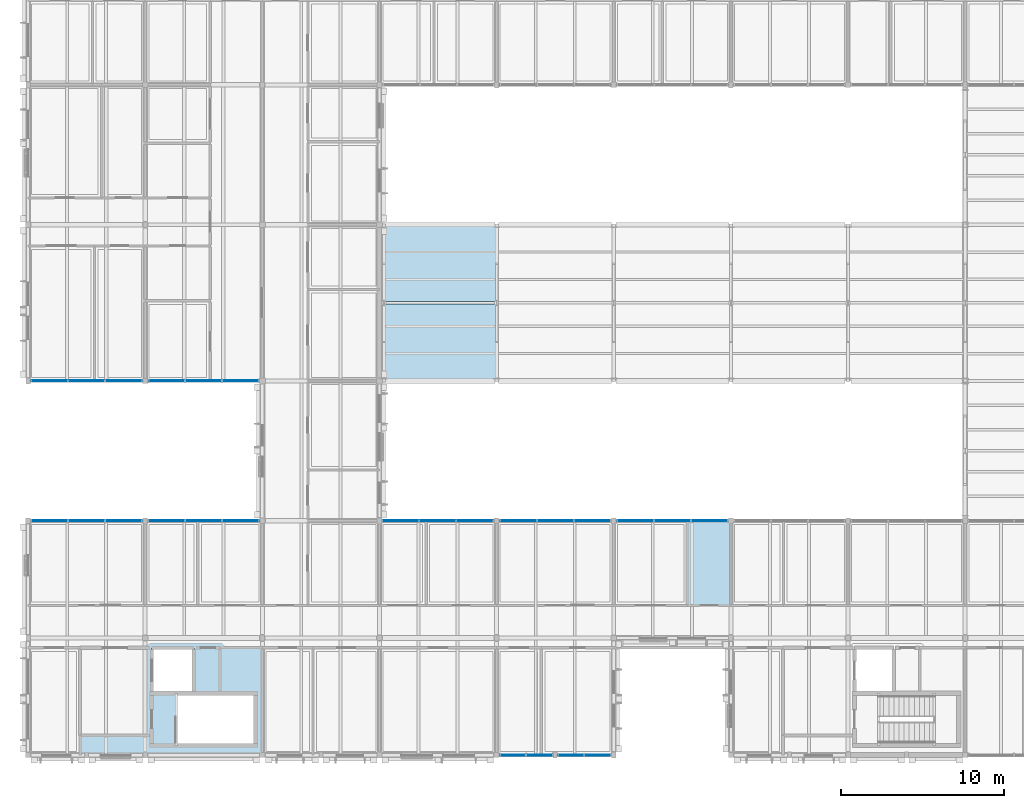
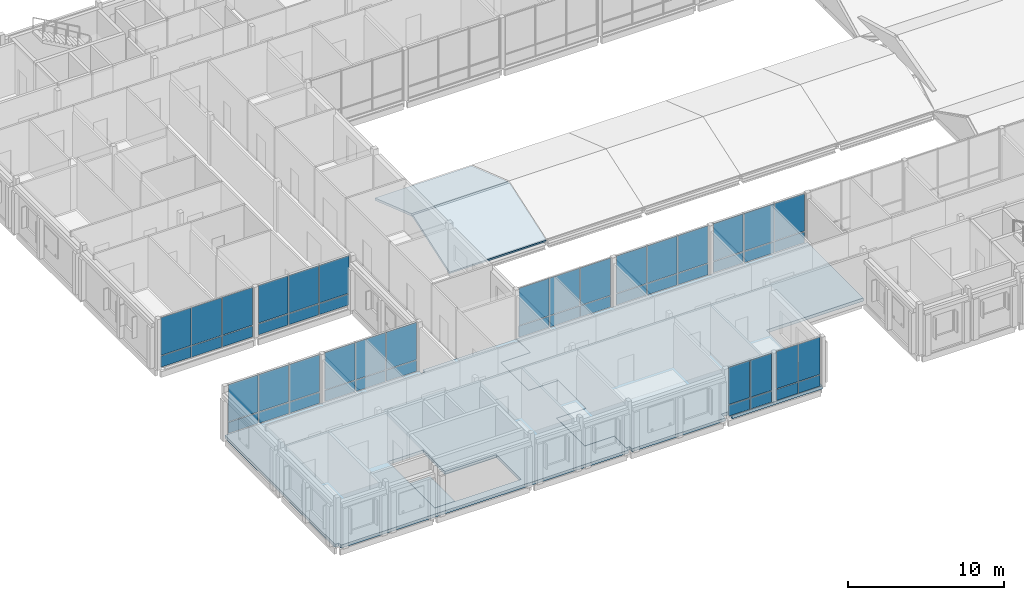
# One storey, part 67 of 115: 50 plates, 5 slabs, 9 elements without a shape of their own.
"""IFC4 building model written with IfcOpenShell, lengths in metres."""

from ifc_helpers import new_model, si_unit, direction, frame, origin, origin_2d, place, context, subcontext, project, spatial, polyline, rectangle, outline, extrude, material, layer, layer_set, type_object, element, aggregate, save


model = new_model("IFC4")

# Units and contexts
model_context = context("Model", 3, precision=1e-05, world=origin(), true_north=direction((0.0, 1.0)))
body_context = subcontext(model_context, "Body", "Model", "MODEL_VIEW")
ifc_project = project(units=[si_unit("LENGTHUNIT", "METRE"), si_unit("AREAUNIT", "SQUARE_METRE"), si_unit("VOLUMEUNIT", "CUBIC_METRE"), si_unit("PLANEANGLEUNIT", "RADIAN"), si_unit("MASSUNIT", "GRAM", prefix="KILO")], contexts=[model_context])

# Site, building, storey
site_placement = place(None, origin())
site = spatial("IfcSite", under=ifc_project, at=site_placement, CompositionType="ELEMENT")
building_placement = place(site_placement, origin())
building = spatial("IfcBuilding", under=site, at=building_placement, Name="Hawrajan Terrace Health Centre", CompositionType="ELEMENT")
storey_placement = place(building_placement, frame((0.0, 0.0, 9.0)))
storey = spatial("IfcBuildingStorey", under=building, at=storey_placement, Name="L02", CompositionType="ELEMENT", Elevation=9.0)

# Curtain wall, plates
ifc_material_1 = material(Name="Anodized bronze aluminium and low-E solar glazing", Category="aluminium")
curtain_wall_type_1 = type_object("IfcCurtainWallType", Name="CW_Bridge_SeriesJ1", PredefinedType="USERDEFINED", material=ifc_material_1)
curtain_wall_1_placement = place(storey_placement, origin())
curtain_wall_1 = element("IfcCurtainWall", 1, at=curtain_wall_1_placement, inside=storey, type_object=curtain_wall_type_1, Name="Curtain wall CW-L02-116", ObjectType="UNITISED CURTAIN WALL", PredefinedType="USERDEFINED")
ifc_material_2 = material(Name="Diffused north-light insulated glazing", Category="glass")
ifc_layer_1 = layer(ifc_material_2, 0.031982421875)
ifc_layer_set_1 = layer_set([ifc_layer_1], Name="Diffused north-light insulated glazing")
plate_type_1 = type_object("IfcPlateType", Name="ClerestoryGlassPanel_32", PredefinedType="CURTAIN_PANEL", material=ifc_layer_set_1)
plate_1_placement = place(storey_placement, frame((5.93505859375, 18.60009765625, 0.9814453125), z_axis=(0.0, 0.0, 1.0), x_axis=(1.0, 0.0, 0.0)))
plate_1 = element("IfcPlate", 2, at=plate_1_placement, type_object=plate_type_1, Name="Curtain panel CW-L02-116-P1-2", PredefinedType="CURTAIN_PANEL", context=body_context, shape_type="SweptSolid", body=[
    extrude(rectangle(XDim=2.2119140625, YDim=0.031982421875, at=origin_2d()), origin(), (0.0, 0.0, 1.0), 2.8994140625),
])
plate_2_placement = place(storey_placement, frame((8.2099609375, 18.60009765625, 0.9814453125), z_axis=(0.0, 0.0, 1.0), x_axis=(1.0, 0.0, 0.0)))
plate_2 = element("IfcPlate", 3, at=plate_2_placement, type_object=plate_type_1, Name="Curtain panel CW-L02-116-P2-2", PredefinedType="CURTAIN_PANEL", context=body_context, shape_type="SweptSolid", body=[
    extrude(rectangle(XDim=2.2119140625, YDim=0.031982421875, at=origin_2d()), origin(), (0.0, 0.0, 1.0), 2.8994140625),
])
plate_3_placement = place(storey_placement, frame((10.485107421875, 18.60009765625, 0.9814453125), z_axis=(0.0, 0.0, 1.0), x_axis=(1.0, 0.0, 0.0)))
plate_3 = element("IfcPlate", 4, at=plate_3_placement, type_object=plate_type_1, Name="Curtain panel CW-L02-116-P3-2", PredefinedType="CURTAIN_PANEL", context=body_context, shape_type="SweptSolid", body=[
    extrude(rectangle(XDim=2.2119140625, YDim=0.031982421875, at=origin_2d()), origin(), (0.0, 0.0, 1.0), 2.8994140625),
])

curtain_wall_type_2 = type_object("IfcCurtainWallType", Name="CW_Diagnostic_SeriesM1", PredefinedType="USERDEFINED", material=ifc_material_1)
curtain_wall_2_placement = place(storey_placement, origin())
curtain_wall_2 = element("IfcCurtainWall", 5, at=curtain_wall_2_placement, inside=storey, type_object=curtain_wall_type_2, Name="Curtain wall CW-L02-119", ObjectType="UNITISED CURTAIN WALL", PredefinedType="USERDEFINED")
plate_4_placement = place(storey_placement, frame((13.12841796875, 27.199951171875, 0.9814453125), z_axis=(0.0, 0.0, 1.0), x_axis=(1.0, 0.0, 0.0)))
plate_4 = element("IfcPlate", 6, at=plate_4_placement, type_object=plate_type_1, Name="Curtain panel CW-L02-119-P1-2", PredefinedType="CURTAIN_PANEL", context=body_context, shape_type="SweptSolid", body=[
    extrude(rectangle(XDim=2.19873046875, YDim=0.031982421875, at=origin_2d()), origin(), (0.0, 0.0, 1.0), 2.939453125),
])
plate_5_placement = place(storey_placement, frame((15.389892578125, 27.199951171875, 0.9814453125), z_axis=(0.0, 0.0, 1.0), x_axis=(1.0, 0.0, 0.0)))
plate_5 = element("IfcPlate", 7, at=plate_5_placement, type_object=plate_type_1, Name="Curtain panel CW-L02-119-P2-2", PredefinedType="CURTAIN_PANEL", context=body_context, shape_type="SweptSolid", body=[
    extrude(rectangle(XDim=2.19873046875, YDim=0.031982421875, at=origin_2d()), origin(), (0.0, 0.0, 1.0), 2.939453125),
])
plate_6_placement = place(storey_placement, frame((17.651611328125, 27.199951171875, 0.9814453125), z_axis=(0.0, 0.0, 1.0), x_axis=(1.0, 0.0, 0.0)))
plate_6 = element("IfcPlate", 8, at=plate_6_placement, type_object=plate_type_1, Name="Curtain panel CW-L02-119-P3-2", PredefinedType="CURTAIN_PANEL", context=body_context, shape_type="SweptSolid", body=[
    extrude(rectangle(XDim=2.19873046875, YDim=0.031982421875, at=origin_2d()), origin(), (0.0, 0.0, 1.0), 2.939453125),
])

curtain_wall_type_3 = type_object("IfcCurtainWallType", Name="CW_Court_SeriesA2", PredefinedType="USERDEFINED", material=ifc_material_1)
curtain_wall_3_placement = place(storey_placement, origin())
curtain_wall_3 = element("IfcCurtainWall", 9, at=curtain_wall_3_placement, inside=storey, type_object=curtain_wall_type_3, Name="Curtain wall CW-L02-122", ObjectType="UNITISED CURTAIN WALL", PredefinedType="USERDEFINED")
plate_7_placement = place(storey_placement, frame((34.40869140625, 4.199951171875, 0.9814453125), z_axis=(0.0, 0.0, 1.0), x_axis=(1.0, 0.0, 0.0)))
plate_7 = element("IfcPlate", 10, at=plate_7_placement, type_object=plate_type_1, Name="Curtain panel CW-L02-122-P1-2", PredefinedType="CURTAIN_PANEL", context=body_context, shape_type="SweptSolid", body=[
    extrude(rectangle(XDim=1.5595703125, YDim=0.031982421875, at=origin_2d()), origin(), (0.0, 0.0, 1.0), 2.8994140625),
])
plate_8_placement = place(storey_placement, frame((36.03125, 4.199951171875, 0.9814453125), z_axis=(0.0, 0.0, 1.0), x_axis=(1.0, 0.0, 0.0)))
plate_8 = element("IfcPlate", 11, at=plate_8_placement, type_object=plate_type_1, Name="Curtain panel CW-L02-122-P2-2", PredefinedType="CURTAIN_PANEL", context=body_context, shape_type="SweptSolid", body=[
    extrude(rectangle(XDim=1.5595703125, YDim=0.031982421875, at=origin_2d()), origin(), (0.0, 0.0, 1.0), 2.8994140625),
])

curtain_wall_type_4 = type_object("IfcCurtainWallType", Name="CW_CourtNS_SeriesC2", PredefinedType="USERDEFINED", material=ifc_material_1)
curtain_wall_4_placement = place(storey_placement, origin())
curtain_wall_4 = element("IfcCurtainWall", 12, at=curtain_wall_4_placement, inside=storey, type_object=curtain_wall_type_4, Name="Curtain wall CW-L02-128", ObjectType="UNITISED CURTAIN WALL", PredefinedType="USERDEFINED")
plate_9_placement = place(storey_placement, frame((41.9150390625, 18.60009765625, 0.9814453125), z_axis=(0.0, 0.0, 1.0), x_axis=(1.0, 0.0, 0.0)))
plate_9 = element("IfcPlate", 13, at=plate_9_placement, type_object=plate_type_1, Name="Curtain panel CW-L02-128-P1-2", PredefinedType="CURTAIN_PANEL", context=body_context, shape_type="SweptSolid", body=[
    extrude(rectangle(XDim=2.2119140625, YDim=0.031982421875, at=origin_2d()), origin(), (0.0, 0.0, 1.0), 2.929443359375),
])
plate_10_placement = place(storey_placement, frame((44.18994140625, 18.60009765625, 0.9814453125), z_axis=(0.0, 0.0, 1.0), x_axis=(1.0, 0.0, 0.0)))
plate_10 = element("IfcPlate", 14, at=plate_10_placement, type_object=plate_type_1, Name="Curtain panel CW-L02-128-P2-2", PredefinedType="CURTAIN_PANEL", context=body_context, shape_type="SweptSolid", body=[
    extrude(rectangle(XDim=2.2119140625, YDim=0.031982421875, at=origin_2d()), origin(), (0.0, 0.0, 1.0), 2.929443359375),
])
plate_11_placement = place(storey_placement, frame((46.465087890625, 18.60009765625, 0.9814453125), z_axis=(0.0, 0.0, 1.0), x_axis=(1.0, 0.0, 0.0)))
plate_11 = element("IfcPlate", 15, at=plate_11_placement, type_object=plate_type_1, Name="Curtain panel CW-L02-128-P3-2", PredefinedType="CURTAIN_PANEL", context=body_context, shape_type="SweptSolid", body=[
    extrude(rectangle(XDim=2.2119140625, YDim=0.031982421875, at=origin_2d()), origin(), (0.0, 0.0, 1.0), 2.929443359375),
])

# Slabs
ifc_material_3 = material(Name="Cross-laminated timber CLT C24", Category="wood")
ifc_layer_2 = layer(ifc_material_3, 0.239990234375)
ifc_layer_set_2 = layer_set([ifc_layer_2], Name="Cross-laminated timber CLT C24")
slab_type_1 = type_object("IfcSlabType", Name="FloorSlab_CLT240", PredefinedType="FLOOR", material=ifc_layer_set_2)
slab_1_placement = place(storey_placement, frame((0.0, 0.0, -0.239990234375)))
element("IfcSlab", 16, at=slab_1_placement, inside=storey, type_object=slab_type_1, Name="Structural slab SL-L02-W-V4-Z0-1", PredefinedType="FLOOR", context=body_context, shape_type="SweptSolid", body=[
    extrude(outline(polyline([(11.800048828125, 18.60009765625), (18.998046875, 18.60009765625), (18.998046875, 18.597900390625), (19.0, 18.597900390625), (19.0, 18.320068359375), (19.280029296875, 18.320068359375), (19.280029296875, 18.597900390625), (26.199951171875, 18.597900390625), (26.199951171875, 16.800048828125), (24.0, 16.800048828125), (24.0, 13.199951171875), (26.199951171875, 13.199951171875), (26.199951171875, 11.39990234375), (26.199951171875, 9.60009765625), (24.0, 9.60009765625), (24.0, 6.0), (26.199951171875, 6.0), (26.199951171875, 4.47998046875), (26.199951171875, 4.199951171875), (19.0, 4.199951171875), (11.800048828125, 4.199951171875), (4.8798828125, 4.199951171875), (4.8798828125, 4.47998046875), (4.60009765625, 4.47998046875), (4.60009765625, 11.39990234375), (4.60009765625, 18.60009765625), (11.800048828125, 18.60009765625)]), holes=[polyline([(12.199951171875, 4.800048828125), (18.60009765625, 4.800048828125), (18.60009765625, 8.0), (14.800048828125, 8.0), (14.800048828125, 10.800048828125), (12.199951171875, 10.800048828125), (12.199951171875, 8.0), (12.199951171875, 4.800048828125)])]), origin(), (0.0, 0.0, 1.0), 0.239990234375),
])
slab_2_placement = place(storey_placement, frame((0.0, 0.0, -0.239990234375)))
element("IfcSlab", 17, at=slab_2_placement, inside=storey, type_object=slab_type_1, Name="Structural slab SL-L02-W-V4-Z1-1", PredefinedType="FLOOR", context=body_context, shape_type="SweptSolid", body=[
    extrude(outline(polyline([(33.39990234375, 18.60009765625), (40.60009765625, 18.60009765625), (47.800048828125, 18.60009765625), (47.800048828125, 18.322021484375), (47.798095703125, 18.322021484375), (47.798095703125, 11.39990234375), (40.60009765625, 11.39990234375), (40.60009765625, 4.199951171875), (33.89990234375, 4.199951171875), (33.89990234375, 4.699951171875), (33.39990234375, 4.699951171875), (33.39990234375, 4.199951171875), (26.47998046875, 4.199951171875), (26.47998046875, 4.47998046875), (26.201904296875, 4.47998046875), (26.201904296875, 6.001953125), (24.001953125, 6.001953125), (24.001953125, 9.597900390625), (26.201904296875, 9.597900390625), (26.201904296875, 13.201904296875), (24.001953125, 13.201904296875), (24.001953125, 16.798095703125), (26.201904296875, 16.798095703125), (26.201904296875, 18.597900390625), (26.201904296875, 18.60009765625), (33.39990234375, 18.60009765625)])), origin(), (0.0, 0.0, 1.0), 0.239990234375),
])
ifc_layer_3 = layer(ifc_material_3, 0.179931640625)
ifc_layer_set_3 = layer_set([ifc_layer_3], Name="Cross-laminated timber CLT C24")
slab_type_2 = type_object("IfcSlabType", Name="RoofSlab_Tent180", PredefinedType="ROOF", material=ifc_layer_set_3)
for number, where, z_axis, x_axis, name in (
    (18, (26.219970703125, 27.199951171875, 0.0), (0.0, -0.325092072107, 0.945682369854), (1.0, 0.0, 0.0), "Pitched tent roof slab RF-V1-04-TRS-S"),
    (19, (26.219970703125, 32.080078125, 1.62255859375), (0.0, 0.325092072107, 0.945682369854), (1.0, 0.0, 0.0), "Pitched tent roof slab RF-V1-04-TRS-N"),
):
    element("IfcSlab", number, at=place(storey_placement, frame(where, z_axis=z_axis, x_axis=x_axis)), inside=storey, type_object=slab_type_2, Name=name, PredefinedType="ROOF", context=body_context, shape_type="SweptSolid", body=[
        extrude(outline(polyline([(0.0, 0.0), (7.179931640625, 0.0), (7.179931640625, 4.991074015531156), (0.0, 4.991074015531156), (0.0, 0.0)])), origin(), (0.0, 0.0, -1.0), 0.179931640625),
    ])

# Plate
ifc_material_4 = material(Name="Insulated anodized bronze spandrel panel")
ifc_layer_4 = layer(ifc_material_4, 0.048095703125)
ifc_layer_set_4 = layer_set([ifc_layer_4], Name="Insulated anodized bronze spandrel panel")
plate_type_2 = type_object("IfcPlateType", Name="SpandrelPanel_Bronze48", PredefinedType="CURTAIN_PANEL", material=ifc_layer_set_4)
plate_12_placement = place(storey_placement, frame((5.93505859375, 18.60009765625, 0.06884765625), z_axis=(0.0, 0.0, 1.0), x_axis=(1.0, 0.0, 0.0)))
plate_12 = element("IfcPlate", 20, at=plate_12_placement, type_object=plate_type_2, Name="Curtain panel CW-L02-116-P1-1", PredefinedType="CURTAIN_PANEL", context=body_context, shape_type="SweptSolid", body=[
    extrude(rectangle(XDim=2.2119140625, YDim=0.048095703125, at=origin_2d()), origin(), (0.0, 0.0, 1.0), 0.849609375),
])

plate_13_placement = place(storey_placement, frame((8.2099609375, 18.60009765625, 0.06884765625), z_axis=(0.0, 0.0, 1.0), x_axis=(1.0, 0.0, 0.0)))
plate_13 = element("IfcPlate", 21, at=plate_13_placement, type_object=plate_type_2, Name="Curtain panel CW-L02-116-P2-1", PredefinedType="CURTAIN_PANEL", context=body_context, shape_type="SweptSolid", body=[
    extrude(rectangle(XDim=2.2119140625, YDim=0.048095703125, at=origin_2d()), origin(), (0.0, 0.0, 1.0), 0.849609375),
])

plate_14_placement = place(storey_placement, frame((10.485107421875, 18.60009765625, 0.06884765625), z_axis=(0.0, 0.0, 1.0), x_axis=(1.0, 0.0, 0.0)))
plate_14 = element("IfcPlate", 22, at=plate_14_placement, type_object=plate_type_2, Name="Curtain panel CW-L02-116-P3-1", PredefinedType="CURTAIN_PANEL", context=body_context, shape_type="SweptSolid", body=[
    extrude(rectangle(XDim=2.2119140625, YDim=0.048095703125, at=origin_2d()), origin(), (0.0, 0.0, 1.0), 0.849609375),
])

aggregate(curtain_wall_1, [plate_12, plate_1, plate_13, plate_2, plate_14, plate_3])

# Curtain wall, plates
curtain_wall_type_5 = type_object("IfcCurtainWallType", Name="CW_Setback_SeriesL1", PredefinedType="USERDEFINED", material=ifc_material_1)
curtain_wall_5_placement = place(storey_placement, origin())
curtain_wall_5 = element("IfcCurtainWall", 23, at=curtain_wall_5_placement, inside=storey, type_object=curtain_wall_type_5, Name="Curtain wall CW-L02-118", ObjectType="UNITISED CURTAIN WALL", PredefinedType="USERDEFINED")
plate_15_placement = place(storey_placement, frame((13.11181640625, 18.60009765625, 0.05908203125), z_axis=(0.0, 0.0, 1.0), x_axis=(1.0, 0.0, 0.0)))
plate_15 = element("IfcPlate", 24, at=plate_15_placement, type_object=plate_type_2, Name="Curtain panel CW-L02-118-P1-1", PredefinedType="CURTAIN_PANEL", context=body_context, shape_type="SweptSolid", body=[
    extrude(rectangle(XDim=2.225341796875, YDim=0.048095703125, at=origin_2d()), origin(), (0.0, 0.0, 1.0), 0.864501953125),
])
plate_16_placement = place(storey_placement, frame((15.389892578125, 18.60009765625, 0.05908203125), z_axis=(0.0, 0.0, 1.0), x_axis=(1.0, 0.0, 0.0)))
plate_16 = element("IfcPlate", 25, at=plate_16_placement, type_object=plate_type_2, Name="Curtain panel CW-L02-118-P2-1", PredefinedType="CURTAIN_PANEL", context=body_context, shape_type="SweptSolid", body=[
    extrude(rectangle(XDim=2.225341796875, YDim=0.048095703125, at=origin_2d()), origin(), (0.0, 0.0, 1.0), 0.864501953125),
])
plate_17_placement = place(storey_placement, frame((17.668212890625, 18.60009765625, 0.05908203125), z_axis=(0.0, 0.0, 1.0), x_axis=(1.0, 0.0, 0.0)))
plate_17 = element("IfcPlate", 26, at=plate_17_placement, type_object=plate_type_2, Name="Curtain panel CW-L02-118-P3-1", PredefinedType="CURTAIN_PANEL", context=body_context, shape_type="SweptSolid", body=[
    extrude(rectangle(XDim=2.225341796875, YDim=0.048095703125, at=origin_2d()), origin(), (0.0, 0.0, 1.0), 0.864501953125),
])

curtain_wall_type_6 = type_object("IfcCurtainWallType", Name="CW_Diagnostic_SeriesM2", PredefinedType="USERDEFINED", material=ifc_material_1)
curtain_wall_6_placement = place(storey_placement, origin())
curtain_wall_6 = element("IfcCurtainWall", 27, at=curtain_wall_6_placement, inside=storey, type_object=curtain_wall_type_6, Name="Curtain wall CW-L02-120", ObjectType="UNITISED CURTAIN WALL", PredefinedType="USERDEFINED")
plate_18_placement = place(storey_placement, frame((27.51171875, 18.60009765625, 0.05908203125), z_axis=(0.0, 0.0, 1.0), x_axis=(1.0, 0.0, 0.0)))
plate_18 = element("IfcPlate", 28, at=plate_18_placement, type_object=plate_type_2, Name="Curtain panel CW-L02-120-P1-1", PredefinedType="CURTAIN_PANEL", context=body_context, shape_type="SweptSolid", body=[
    extrude(rectangle(XDim=2.225341796875, YDim=0.048095703125, at=origin_2d()), origin(), (0.0, 0.0, 1.0), 0.864501953125),
])
plate_19_placement = place(storey_placement, frame((29.7900390625, 18.60009765625, 0.05908203125), z_axis=(0.0, 0.0, 1.0), x_axis=(1.0, 0.0, 0.0)))
plate_19 = element("IfcPlate", 29, at=plate_19_placement, type_object=plate_type_2, Name="Curtain panel CW-L02-120-P2-1", PredefinedType="CURTAIN_PANEL", context=body_context, shape_type="SweptSolid", body=[
    extrude(rectangle(XDim=2.225341796875, YDim=0.048095703125, at=origin_2d()), origin(), (0.0, 0.0, 1.0), 0.864501953125),
])
plate_20_placement = place(storey_placement, frame((32.068359375, 18.60009765625, 0.05908203125), z_axis=(0.0, 0.0, 1.0), x_axis=(1.0, 0.0, 0.0)))
plate_20 = element("IfcPlate", 30, at=plate_20_placement, type_object=plate_type_2, Name="Curtain panel CW-L02-120-P3-1", PredefinedType="CURTAIN_PANEL", context=body_context, shape_type="SweptSolid", body=[
    extrude(rectangle(XDim=2.225341796875, YDim=0.048095703125, at=origin_2d()), origin(), (0.0, 0.0, 1.0), 0.864501953125),
])

# Plate
plate_21_placement = place(storey_placement, frame((34.40869140625, 4.199951171875, 0.06884765625), z_axis=(0.0, 0.0, 1.0), x_axis=(1.0, 0.0, 0.0)))
plate_21 = element("IfcPlate", 31, at=plate_21_placement, type_object=plate_type_2, Name="Curtain panel CW-L02-122-P1-1", PredefinedType="CURTAIN_PANEL", context=body_context, shape_type="SweptSolid", body=[
    extrude(rectangle(XDim=1.5595703125, YDim=0.048095703125, at=origin_2d()), origin(), (0.0, 0.0, 1.0), 0.849609375),
])

plate_22_placement = place(storey_placement, frame((36.03125, 4.199951171875, 0.06884765625), z_axis=(0.0, 0.0, 1.0), x_axis=(1.0, 0.0, 0.0)))
plate_22 = element("IfcPlate", 32, at=plate_22_placement, type_object=plate_type_2, Name="Curtain panel CW-L02-122-P2-1", PredefinedType="CURTAIN_PANEL", context=body_context, shape_type="SweptSolid", body=[
    extrude(rectangle(XDim=1.5595703125, YDim=0.048095703125, at=origin_2d()), origin(), (0.0, 0.0, 1.0), 0.849609375),
])

aggregate(curtain_wall_3, [plate_21, plate_7, plate_22, plate_8])

# Curtain wall, plates
curtain_wall_type_7 = type_object("IfcCurtainWallType", Name="CW_Court_SeriesB1", PredefinedType="USERDEFINED", material=ifc_material_1)
curtain_wall_7_placement = place(storey_placement, origin())
curtain_wall_7 = element("IfcCurtainWall", 33, at=curtain_wall_7_placement, inside=storey, type_object=curtain_wall_type_7, Name="Curtain wall CW-L02-124", ObjectType="UNITISED CURTAIN WALL", PredefinedType="USERDEFINED")
plate_23_placement = place(storey_placement, frame((34.731689453125, 18.60009765625, 0.05908203125), z_axis=(0.0, 0.0, 1.0), x_axis=(1.0, 0.0, 0.0)))
plate_23 = element("IfcPlate", 34, at=plate_23_placement, type_object=plate_type_2, Name="Curtain panel CW-L02-124-P1-1", PredefinedType="CURTAIN_PANEL", context=body_context, shape_type="SweptSolid", body=[
    extrude(rectangle(XDim=2.225341796875, YDim=0.048095703125, at=origin_2d()), origin(), (0.0, 0.0, 1.0), 0.864501953125),
])
plate_24_placement = place(storey_placement, frame((37.010009765625, 18.60009765625, 0.05908203125), z_axis=(0.0, 0.0, 1.0), x_axis=(1.0, 0.0, 0.0)))
plate_24 = element("IfcPlate", 35, at=plate_24_placement, type_object=plate_type_2, Name="Curtain panel CW-L02-124-P2-1", PredefinedType="CURTAIN_PANEL", context=body_context, shape_type="SweptSolid", body=[
    extrude(rectangle(XDim=2.225341796875, YDim=0.048095703125, at=origin_2d()), origin(), (0.0, 0.0, 1.0), 0.864501953125),
])
plate_25_placement = place(storey_placement, frame((39.288330078125, 18.60009765625, 0.05908203125), z_axis=(0.0, 0.0, 1.0), x_axis=(1.0, 0.0, 0.0)))
plate_25 = element("IfcPlate", 36, at=plate_25_placement, type_object=plate_type_2, Name="Curtain panel CW-L02-124-P3-1", PredefinedType="CURTAIN_PANEL", context=body_context, shape_type="SweptSolid", body=[
    extrude(rectangle(XDim=2.225341796875, YDim=0.048095703125, at=origin_2d()), origin(), (0.0, 0.0, 1.0), 0.864501953125),
])

# Plate
plate_26_placement = place(storey_placement, frame((41.9150390625, 18.60009765625, 0.06884765625), z_axis=(0.0, 0.0, 1.0), x_axis=(1.0, 0.0, 0.0)))
plate_26 = element("IfcPlate", 37, at=plate_26_placement, type_object=plate_type_2, Name="Curtain panel CW-L02-128-P1-1", PredefinedType="CURTAIN_PANEL", context=body_context, shape_type="SweptSolid", body=[
    extrude(rectangle(XDim=2.2119140625, YDim=0.048095703125, at=origin_2d()), origin(), (0.0, 0.0, 1.0), 0.849609375),
])

plate_27_placement = place(storey_placement, frame((44.18994140625, 18.60009765625, 0.06884765625), z_axis=(0.0, 0.0, 1.0), x_axis=(1.0, 0.0, 0.0)))
plate_27 = element("IfcPlate", 38, at=plate_27_placement, type_object=plate_type_2, Name="Curtain panel CW-L02-128-P2-1", PredefinedType="CURTAIN_PANEL", context=body_context, shape_type="SweptSolid", body=[
    extrude(rectangle(XDim=2.2119140625, YDim=0.048095703125, at=origin_2d()), origin(), (0.0, 0.0, 1.0), 0.849609375),
])

plate_28_placement = place(storey_placement, frame((46.465087890625, 18.60009765625, 0.06884765625), z_axis=(0.0, 0.0, 1.0), x_axis=(1.0, 0.0, 0.0)))
plate_28 = element("IfcPlate", 39, at=plate_28_placement, type_object=plate_type_2, Name="Curtain panel CW-L02-128-P3-1", PredefinedType="CURTAIN_PANEL", context=body_context, shape_type="SweptSolid", body=[
    extrude(rectangle(XDim=2.2119140625, YDim=0.048095703125, at=origin_2d()), origin(), (0.0, 0.0, 1.0), 0.849609375),
])

aggregate(curtain_wall_4, [plate_26, plate_9, plate_27, plate_10, plate_28, plate_11])

# Curtain wall, plates
curtain_wall_type_8 = type_object("IfcCurtainWallType", Name="CW_Terrace_SeriesK1", PredefinedType="USERDEFINED", material=ifc_material_1)
curtain_wall_8_placement = place(storey_placement, origin())
curtain_wall_8 = element("IfcCurtainWall", 40, at=curtain_wall_8_placement, inside=storey, type_object=curtain_wall_type_8, Name="Curtain wall CW-L02-117", ObjectType="UNITISED CURTAIN WALL", PredefinedType="USERDEFINED")
ifc_material_5 = material(Name="Insulated reconstituted coral-stone spandrel", Category="masonry")
ifc_layer_5 = layer(ifc_material_5, 0.055908203125)
ifc_layer_set_5 = layer_set([ifc_layer_5], Name="Insulated reconstituted coral-stone spandrel")
plate_type_3 = type_object("IfcPlateType", Name="SpandrelPanel_Coral56", PredefinedType="CURTAIN_PANEL", material=ifc_layer_set_5)
plate_29_placement = place(storey_placement, frame((5.91162109375, 27.199951171875, 0.05908203125), z_axis=(0.0, 0.0, 1.0), x_axis=(1.0, 0.0, 0.0)))
plate_29 = element("IfcPlate", 41, at=plate_29_placement, type_object=plate_type_3, Name="Curtain panel CW-L02-117-P1-1", PredefinedType="CURTAIN_PANEL", context=body_context, shape_type="SweptSolid", body=[
    extrude(rectangle(XDim=2.225341796875, YDim=0.055908203125, at=origin_2d()), origin(), (0.0, 0.0, 1.0), 0.864501953125),
])
plate_30_placement = place(storey_placement, frame((8.18994140625, 27.199951171875, 0.05908203125), z_axis=(0.0, 0.0, 1.0), x_axis=(1.0, 0.0, 0.0)))
plate_30 = element("IfcPlate", 42, at=plate_30_placement, type_object=plate_type_3, Name="Curtain panel CW-L02-117-P2-1", PredefinedType="CURTAIN_PANEL", context=body_context, shape_type="SweptSolid", body=[
    extrude(rectangle(XDim=2.225341796875, YDim=0.055908203125, at=origin_2d()), origin(), (0.0, 0.0, 1.0), 0.864501953125),
])
plate_31_placement = place(storey_placement, frame((10.46826171875, 27.199951171875, 0.05908203125), z_axis=(0.0, 0.0, 1.0), x_axis=(1.0, 0.0, 0.0)))
plate_31 = element("IfcPlate", 43, at=plate_31_placement, type_object=plate_type_3, Name="Curtain panel CW-L02-117-P3-1", PredefinedType="CURTAIN_PANEL", context=body_context, shape_type="SweptSolid", body=[
    extrude(rectangle(XDim=2.225341796875, YDim=0.055908203125, at=origin_2d()), origin(), (0.0, 0.0, 1.0), 0.864501953125),
])

# Plate
plate_32_placement = place(storey_placement, frame((13.12841796875, 27.199951171875, 0.06884765625), z_axis=(0.0, 0.0, 1.0), x_axis=(1.0, 0.0, 0.0)))
plate_32 = element("IfcPlate", 44, at=plate_32_placement, type_object=plate_type_3, Name="Curtain panel CW-L02-119-P1-1", PredefinedType="CURTAIN_PANEL", context=body_context, shape_type="SweptSolid", body=[
    extrude(rectangle(XDim=2.19873046875, YDim=0.055908203125, at=origin_2d()), origin(), (0.0, 0.0, 1.0), 0.849609375),
])

plate_33_placement = place(storey_placement, frame((15.389892578125, 27.199951171875, 0.06884765625), z_axis=(0.0, 0.0, 1.0), x_axis=(1.0, 0.0, 0.0)))
plate_33 = element("IfcPlate", 45, at=plate_33_placement, type_object=plate_type_3, Name="Curtain panel CW-L02-119-P2-1", PredefinedType="CURTAIN_PANEL", context=body_context, shape_type="SweptSolid", body=[
    extrude(rectangle(XDim=2.19873046875, YDim=0.055908203125, at=origin_2d()), origin(), (0.0, 0.0, 1.0), 0.849609375),
])

plate_34_placement = place(storey_placement, frame((17.651611328125, 27.199951171875, 0.06884765625), z_axis=(0.0, 0.0, 1.0), x_axis=(1.0, 0.0, 0.0)))
plate_34 = element("IfcPlate", 46, at=plate_34_placement, type_object=plate_type_3, Name="Curtain panel CW-L02-119-P3-1", PredefinedType="CURTAIN_PANEL", context=body_context, shape_type="SweptSolid", body=[
    extrude(rectangle(XDim=2.19873046875, YDim=0.055908203125, at=origin_2d()), origin(), (0.0, 0.0, 1.0), 0.849609375),
])

aggregate(curtain_wall_2, [plate_32, plate_4, plate_33, plate_5, plate_34, plate_6])

# Curtain wall, plates
curtain_wall_type_9 = type_object("IfcCurtainWallType", Name="CW_Court_SeriesA3", PredefinedType="USERDEFINED", material=ifc_material_1)
curtain_wall_9_placement = place(storey_placement, origin())
curtain_wall_9 = element("IfcCurtainWall", 47, at=curtain_wall_9_placement, inside=storey, type_object=curtain_wall_type_9, Name="Curtain wall CW-L02-123", ObjectType="UNITISED CURTAIN WALL", PredefinedType="USERDEFINED")
plate_35_placement = place(storey_placement, frame((37.97119140625, 4.199951171875, 0.05908203125), z_axis=(0.0, 0.0, 1.0), x_axis=(1.0, 0.0, 0.0)))
plate_35 = element("IfcPlate", 48, at=plate_35_placement, type_object=plate_type_3, Name="Curtain panel CW-L02-123-P1-1", PredefinedType="CURTAIN_PANEL", context=body_context, shape_type="SweptSolid", body=[
    extrude(rectangle(XDim=1.58447265625, YDim=0.055908203125, at=origin_2d()), origin(), (0.0, 0.0, 1.0), 0.864501953125),
])
plate_36_placement = place(storey_placement, frame((39.60888671875, 4.199951171875, 0.05908203125), z_axis=(0.0, 0.0, 1.0), x_axis=(1.0, 0.0, 0.0)))
plate_36 = element("IfcPlate", 49, at=plate_36_placement, type_object=plate_type_3, Name="Curtain panel CW-L02-123-P2-1", PredefinedType="CURTAIN_PANEL", context=body_context, shape_type="SweptSolid", body=[
    extrude(rectangle(XDim=1.58447265625, YDim=0.055908203125, at=origin_2d()), origin(), (0.0, 0.0, 1.0), 0.864501953125),
])

# Slab
ifc_material_6 = material(Name="Concrete C40/50", Category="concrete")
ifc_layer_6 = layer(ifc_material_6, 0.219970703125)
ifc_layer_set_6 = layer_set([ifc_layer_6], Name="Concrete C40/50")
slab_type_3 = type_object("IfcSlabType", Name="StairLanding_RC220", PredefinedType="LANDING", material=ifc_layer_set_6)
slab_3_placement = place(storey_placement, frame((0.0, 0.0, -0.219970703125)))
element("IfcSlab", 50, at=slab_3_placement, inside=storey, type_object=slab_type_3, Name="Stair top arrival landing ST-3", PredefinedType="LANDING", context=body_context, shape_type="SweptSolid", body=[
    extrude(outline(polyline([(12.199951171875, 4.800048828125), (13.699951171875, 4.800048828125), (13.699951171875, 8.0), (12.199951171875, 8.0), (12.199951171875, 4.800048828125)])), origin(), (0.0, 0.0, 1.0), 0.219970703125),
])

# Plate
ifc_material_7 = material(Name="Double-glazed solar control low-E glass", Category="glass")
ifc_layer_7 = layer(ifc_material_7, 0.028076171875)
ifc_layer_set_7 = layer_set([ifc_layer_7], Name="Double-glazed solar control low-E glass")
plate_type_4 = type_object("IfcPlateType", Name="VisionGlassPanel_28", PredefinedType="CURTAIN_PANEL", material=ifc_layer_set_7)
plate_37_placement = place(storey_placement, frame((5.91162109375, 27.199951171875, 0.976318359375), z_axis=(0.0, 0.0, 1.0), x_axis=(1.0, 0.0, 0.0)))
plate_37 = element("IfcPlate", 51, at=plate_37_placement, type_object=plate_type_4, Name="Curtain panel CW-L02-117-P1-2", PredefinedType="CURTAIN_PANEL", context=body_context, shape_type="SweptSolid", body=[
    extrude(rectangle(XDim=2.225341796875, YDim=0.028076171875, at=origin_2d()), origin(), (0.0, 0.0, 1.0), 2.95458984375),
])

plate_38_placement = place(storey_placement, frame((8.18994140625, 27.199951171875, 0.976318359375), z_axis=(0.0, 0.0, 1.0), x_axis=(1.0, 0.0, 0.0)))
plate_38 = element("IfcPlate", 52, at=plate_38_placement, type_object=plate_type_4, Name="Curtain panel CW-L02-117-P2-2", PredefinedType="CURTAIN_PANEL", context=body_context, shape_type="SweptSolid", body=[
    extrude(rectangle(XDim=2.225341796875, YDim=0.028076171875, at=origin_2d()), origin(), (0.0, 0.0, 1.0), 2.95458984375),
])

plate_39_placement = place(storey_placement, frame((10.46826171875, 27.199951171875, 0.976318359375), z_axis=(0.0, 0.0, 1.0), x_axis=(1.0, 0.0, 0.0)))
plate_39 = element("IfcPlate", 53, at=plate_39_placement, type_object=plate_type_4, Name="Curtain panel CW-L02-117-P3-2", PredefinedType="CURTAIN_PANEL", context=body_context, shape_type="SweptSolid", body=[
    extrude(rectangle(XDim=2.225341796875, YDim=0.028076171875, at=origin_2d()), origin(), (0.0, 0.0, 1.0), 2.95458984375),
])

aggregate(curtain_wall_8, [plate_29, plate_37, plate_30, plate_38, plate_31, plate_39])

plate_40_placement = place(storey_placement, frame((27.51171875, 18.60009765625, 0.976318359375), z_axis=(0.0, 0.0, 1.0), x_axis=(1.0, 0.0, 0.0)))
plate_40 = element("IfcPlate", 54, at=plate_40_placement, type_object=plate_type_4, Name="Curtain panel CW-L02-120-P1-2", PredefinedType="CURTAIN_PANEL", context=body_context, shape_type="SweptSolid", body=[
    extrude(rectangle(XDim=2.225341796875, YDim=0.028076171875, at=origin_2d()), origin(), (0.0, 0.0, 1.0), 2.91455078125),
])

plate_41_placement = place(storey_placement, frame((29.7900390625, 18.60009765625, 0.976318359375), z_axis=(0.0, 0.0, 1.0), x_axis=(1.0, 0.0, 0.0)))
plate_41 = element("IfcPlate", 55, at=plate_41_placement, type_object=plate_type_4, Name="Curtain panel CW-L02-120-P2-2", PredefinedType="CURTAIN_PANEL", context=body_context, shape_type="SweptSolid", body=[
    extrude(rectangle(XDim=2.225341796875, YDim=0.028076171875, at=origin_2d()), origin(), (0.0, 0.0, 1.0), 2.91455078125),
])

plate_42_placement = place(storey_placement, frame((32.068359375, 18.60009765625, 0.976318359375), z_axis=(0.0, 0.0, 1.0), x_axis=(1.0, 0.0, 0.0)))
plate_42 = element("IfcPlate", 56, at=plate_42_placement, type_object=plate_type_4, Name="Curtain panel CW-L02-120-P3-2", PredefinedType="CURTAIN_PANEL", context=body_context, shape_type="SweptSolid", body=[
    extrude(rectangle(XDim=2.225341796875, YDim=0.028076171875, at=origin_2d()), origin(), (0.0, 0.0, 1.0), 2.91455078125),
])

aggregate(curtain_wall_6, [plate_18, plate_40, plate_19, plate_41, plate_20, plate_42])

plate_43_placement = place(storey_placement, frame((37.97119140625, 4.199951171875, 0.976318359375), z_axis=(0.0, 0.0, 1.0), x_axis=(1.0, 0.0, 0.0)))
plate_43 = element("IfcPlate", 57, at=plate_43_placement, type_object=plate_type_4, Name="Curtain panel CW-L02-123-P1-2", PredefinedType="CURTAIN_PANEL", context=body_context, shape_type="SweptSolid", body=[
    extrude(rectangle(XDim=1.58447265625, YDim=0.028076171875, at=origin_2d()), origin(), (0.0, 0.0, 1.0), 2.91455078125),
])

plate_44_placement = place(storey_placement, frame((39.60888671875, 4.199951171875, 0.976318359375), z_axis=(0.0, 0.0, 1.0), x_axis=(1.0, 0.0, 0.0)))
plate_44 = element("IfcPlate", 58, at=plate_44_placement, type_object=plate_type_4, Name="Curtain panel CW-L02-123-P2-2", PredefinedType="CURTAIN_PANEL", context=body_context, shape_type="SweptSolid", body=[
    extrude(rectangle(XDim=1.58447265625, YDim=0.028076171875, at=origin_2d()), origin(), (0.0, 0.0, 1.0), 2.91455078125),
])

aggregate(curtain_wall_9, [plate_35, plate_43, plate_36, plate_44])

ifc_material_8 = material(Name="Triple-glazed solar acoustic low-E glass", Category="glass")
ifc_layer_8 = layer(ifc_material_8, 0.035888671875)
ifc_layer_set_8 = layer_set([ifc_layer_8], Name="Triple-glazed solar acoustic low-E glass")
plate_type_5 = type_object("IfcPlateType", Name="VisionGlassPanel_36", PredefinedType="CURTAIN_PANEL", material=ifc_layer_set_8)
plate_45_placement = place(storey_placement, frame((13.11181640625, 18.60009765625, 0.976318359375), z_axis=(0.0, 0.0, 1.0), x_axis=(1.0, 0.0, 0.0)))
plate_45 = element("IfcPlate", 59, at=plate_45_placement, type_object=plate_type_5, Name="Curtain panel CW-L02-118-P1-2", PredefinedType="CURTAIN_PANEL", context=body_context, shape_type="SweptSolid", body=[
    extrude(rectangle(XDim=2.225341796875, YDim=0.035888671875, at=origin_2d()), origin(), (0.0, 0.0, 1.0), 2.91455078125),
])

plate_46_placement = place(storey_placement, frame((15.389892578125, 18.60009765625, 0.976318359375), z_axis=(0.0, 0.0, 1.0), x_axis=(1.0, 0.0, 0.0)))
plate_46 = element("IfcPlate", 60, at=plate_46_placement, type_object=plate_type_5, Name="Curtain panel CW-L02-118-P2-2", PredefinedType="CURTAIN_PANEL", context=body_context, shape_type="SweptSolid", body=[
    extrude(rectangle(XDim=2.225341796875, YDim=0.035888671875, at=origin_2d()), origin(), (0.0, 0.0, 1.0), 2.91455078125),
])

plate_47_placement = place(storey_placement, frame((17.668212890625, 18.60009765625, 0.976318359375), z_axis=(0.0, 0.0, 1.0), x_axis=(1.0, 0.0, 0.0)))
plate_47 = element("IfcPlate", 61, at=plate_47_placement, type_object=plate_type_5, Name="Curtain panel CW-L02-118-P3-2", PredefinedType="CURTAIN_PANEL", context=body_context, shape_type="SweptSolid", body=[
    extrude(rectangle(XDim=2.225341796875, YDim=0.035888671875, at=origin_2d()), origin(), (0.0, 0.0, 1.0), 2.91455078125),
])

aggregate(curtain_wall_5, [plate_15, plate_45, plate_16, plate_46, plate_17, plate_47])

plate_48_placement = place(storey_placement, frame((34.731689453125, 18.60009765625, 0.976318359375), z_axis=(0.0, 0.0, 1.0), x_axis=(1.0, 0.0, 0.0)))
plate_48 = element("IfcPlate", 62, at=plate_48_placement, type_object=plate_type_5, Name="Curtain panel CW-L02-124-P1-2", PredefinedType="CURTAIN_PANEL", context=body_context, shape_type="SweptSolid", body=[
    extrude(rectangle(XDim=2.225341796875, YDim=0.035888671875, at=origin_2d()), origin(), (0.0, 0.0, 1.0), 2.91455078125),
])

plate_49_placement = place(storey_placement, frame((37.010009765625, 18.60009765625, 0.976318359375), z_axis=(0.0, 0.0, 1.0), x_axis=(1.0, 0.0, 0.0)))
plate_49 = element("IfcPlate", 63, at=plate_49_placement, type_object=plate_type_5, Name="Curtain panel CW-L02-124-P2-2", PredefinedType="CURTAIN_PANEL", context=body_context, shape_type="SweptSolid", body=[
    extrude(rectangle(XDim=2.225341796875, YDim=0.035888671875, at=origin_2d()), origin(), (0.0, 0.0, 1.0), 2.91455078125),
])

plate_50_placement = place(storey_placement, frame((39.288330078125, 18.60009765625, 0.976318359375), z_axis=(0.0, 0.0, 1.0), x_axis=(1.0, 0.0, 0.0)))
plate_50 = element("IfcPlate", 64, at=plate_50_placement, type_object=plate_type_5, Name="Curtain panel CW-L02-124-P3-2", PredefinedType="CURTAIN_PANEL", context=body_context, shape_type="SweptSolid", body=[
    extrude(rectangle(XDim=2.225341796875, YDim=0.035888671875, at=origin_2d()), origin(), (0.0, 0.0, 1.0), 2.91455078125),
])

aggregate(curtain_wall_7, [plate_23, plate_48, plate_24, plate_49, plate_25, plate_50])

save(model, "model.ifc")
